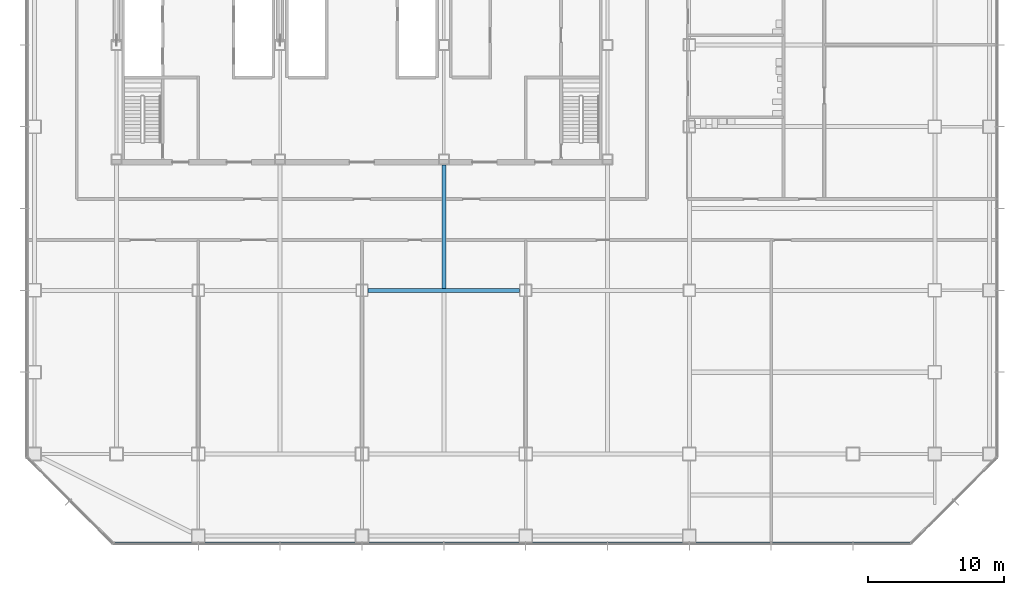
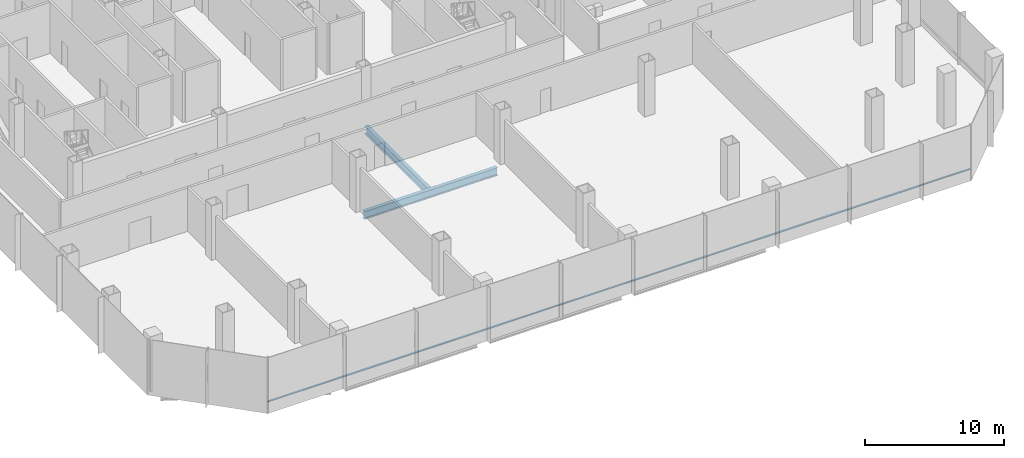
# One storey, part 7 of 34: 2 beams, 1 member, 1 element without a shape of its own.
"""IFC4 building model written with IfcOpenShell, lengths in metres."""

from ifc_helpers import new_model, si_unit, direction, frame, origin, origin_2d, place, context, subcontext, project, spatial, rectangle, i_section, extrude, material, material_profile, profile_set, type_object, element, aggregate, save


model = new_model("IFC4")

# Units and contexts
model_context = context("Model", 3, precision=1e-05, world=origin(), true_north=direction((0.0, 1.0)))
body_context = subcontext(model_context, "Body", "Model", "MODEL_VIEW")
ifc_project = project(units=[si_unit("LENGTHUNIT", "METRE"), si_unit("AREAUNIT", "SQUARE_METRE"), si_unit("VOLUMEUNIT", "CUBIC_METRE"), si_unit("PLANEANGLEUNIT", "RADIAN"), si_unit("MASSUNIT", "GRAM", prefix="KILO")], contexts=[model_context])

# Site, building, storey
site_placement = place(None, origin())
site = spatial("IfcSite", under=ifc_project, at=site_placement, CompositionType="ELEMENT")
building_placement = place(site_placement, origin())
building = spatial("IfcBuilding", under=site, at=building_placement, Name="Sorahane Residences", CompositionType="ELEMENT")
storey_placement = place(building_placement, frame((0.0, 0.0, 39.60009765625)))
storey = spatial("IfcBuildingStorey", under=building, at=storey_placement, Name="L06", CompositionType="ELEMENT", Elevation=39.60009765625)

# Curtain wall, member
ifc_material_1 = material(Name="Dark low-e glass and black anodised aluminium", Category="aluminium")
curtain_wall_type = type_object("IfcCurtainWallType", Name="Curtain wall CW-3 Podium unitised wall", PredefinedType="NOTDEFINED", material=ifc_material_1)
curtain_wall_placement = place(storey_placement, origin())
curtain_wall = element("IfcCurtainWall", 1, at=curtain_wall_placement, inside=storey, type_object=curtain_wall_type, Name="CW-3 curtain wall L06 S1", PredefinedType="NOTDEFINED")
ifc_material_2 = material(Name="Black anodised aluminium", Category="aluminium")
ifc_material_profile_1 = material_profile(ifc_material_2, rectangle(XDim=0.10009765625, YDim=0.06005859375, at=origin_2d()), Name="Curtain wall transom CW-3 black anodised aluminium 60x100")
ifc_profile_set_1 = profile_set([ifc_material_profile_1], Name="Black anodised aluminium")
member_type = type_object("IfcMemberType", Name="Curtain wall transom CW-3 black anodised aluminium 60x100", PredefinedType="USERDEFINED", material=ifc_profile_set_1)
member_placement = place(storey_placement, frame((5.801513671875, -6.530029296875, 0.599853515625), z_axis=(1.0, 0.0, 0.0), x_axis=(0.0, 1.0, 0.0)))
member = element("IfcMember", 2, at=member_placement, type_object=member_type, Name="CW-3 transom L06 S1", ObjectType="TRANSOM", PredefinedType="USERDEFINED", context=body_context, shape_type="SweptSolid", body=[
    extrude(rectangle(XDim=0.10009765625, YDim=0.06005859375, at=origin_2d()), origin(), (0.0, 0.0, 1.0), 58.39697265625),
])
aggregate(curtain_wall, [member])

# Beams
ifc_material_3 = material(Name="Steel Q355B", Category="steel")
ifc_material_profile_2 = material_profile(ifc_material_3, i_section(OverallWidth=0.300048828125, OverallDepth=0.699951171875, WebThickness=0.012939453125, FlangeThickness=0.02392578125, FilletRadius=0.028076171875, at=origin_2d()), Name="HN 700x300x13x24")
ifc_profile_set_2 = profile_set([ifc_material_profile_2], Name="Steel Q355B")
beam_type = type_object("IfcBeamType", Name="Steel floor beam HN 700x300x13x24 Q355B", PredefinedType="BEAM", material=ifc_profile_set_2)
beam_1_placement = place(storey_placement, frame((24.449951171875, 12.0, -0.75), z_axis=(1.0, 0.0, 0.0), x_axis=(0.0, 1.0, 0.0)))
element("IfcBeam", 3, at=beam_1_placement, inside=storey, type_object=beam_type, Name="Beam L06 010", PredefinedType="BEAM", context=body_context, shape_type="SweptSolid", body=[
    extrude(i_section(OverallWidth=0.300048828125, OverallDepth=0.699951171875, WebThickness=0.012939453125, FlangeThickness=0.02392578125, FilletRadius=0.028076171875, at=origin_2d()), origin(), (0.0, 0.0, 1.0), 11.10009765625),
])
beam_2_placement = place(storey_placement, frame((30.0, 12.14990234375, -0.75), z_axis=(0.0, 1.0, 0.0), x_axis=(-1.0, 0.0, 0.0)))
element("IfcBeam", 4, at=beam_2_placement, inside=storey, type_object=beam_type, Name="Beam L06 048", PredefinedType="BEAM", context=body_context, shape_type="SweptSolid", body=[
    extrude(i_section(OverallWidth=0.300048828125, OverallDepth=0.699951171875, WebThickness=0.012939453125, FlangeThickness=0.02392578125, FilletRadius=0.028076171875, at=origin_2d()), origin(), (0.0, 0.0, 1.0), 9.050048828125),
])

save(model, "model.ifc")
